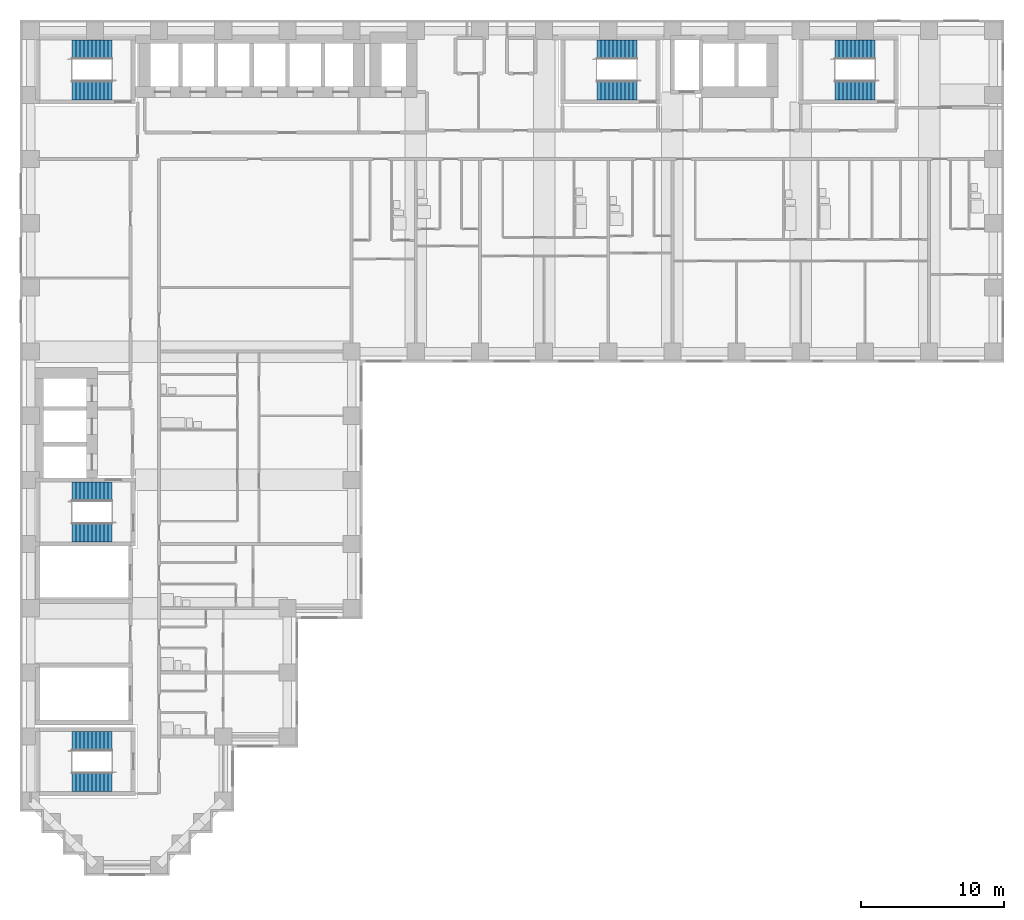
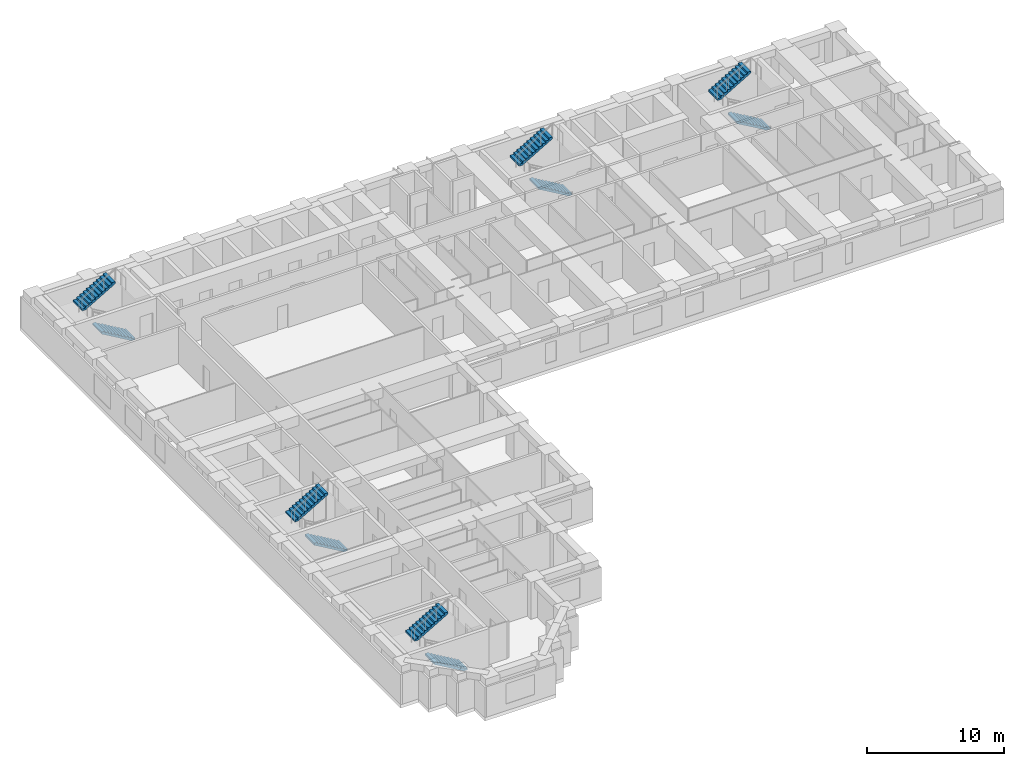
# One storey, part 10 of 12: 10 stair flights, 5 elements without a shape of their own.
"""IFC4 building model written with IfcOpenShell, lengths in metres."""

from ifc_helpers import new_model, si_unit, direction, frame, origin, place, context, subcontext, project, spatial, polyline, outline, extrude, material, type_object, element, aggregate, save


model = new_model("IFC4")

# Units and contexts
model_context = context("Model", 3, precision=1e-05, world=origin(), true_north=direction((0.0, 1.0)))
body_context = subcontext(model_context, "Body", "Model", "MODEL_VIEW")
ifc_project = project(units=[si_unit("LENGTHUNIT", "METRE"), si_unit("AREAUNIT", "SQUARE_METRE"), si_unit("VOLUMEUNIT", "CUBIC_METRE"), si_unit("PLANEANGLEUNIT", "RADIAN"), si_unit("MASSUNIT", "GRAM", prefix="KILO")], contexts=[model_context])

# Site, building, storey
site_placement = place(None, origin())
site = spatial("IfcSite", under=ifc_project, at=site_placement, CompositionType="ELEMENT")
building_placement = place(site_placement, origin())
building = spatial("IfcBuilding", under=site, at=building_placement, Name="Firuza Court", CompositionType="ELEMENT")
storey_placement = place(building_placement, frame((0.0, 0.0, 39.800048828125)))
storey = spatial("IfcBuildingStorey", under=building, at=storey_placement, Name="L08", CompositionType="ELEMENT", Elevation=39.800048828125)

# Stair, stair flights
ifc_material_1 = material(Name="Concrete C40/50 precast", Category="concrete")
stair_type = type_object("IfcStairType", Name="Stair 1350 x 3600 2 flights", PredefinedType="HALF_TURN_STAIR", material=ifc_material_1)
stair_1_placement = place(storey_placement, origin())
stair_1 = element("IfcStair", 1, at=stair_1_placement, inside=storey, type_object=stair_type, Name="Stair 1 L08", PredefinedType="HALF_TURN_STAIR")
ifc_material_2 = material(Name="Concrete C40/50 precast", Category="concrete")
stair_flight_type = type_object("IfcStairFlightType", Name="Flight 1350 riser 163.6", PredefinedType="STRAIGHT", material=ifc_material_2)
stair_flight_1_placement = place(storey_placement, frame((42.5, 54.324951171875, 0.0), z_axis=(0.0, 0.0, 1.0), x_axis=(-1.0, 0.0, 0.0)))
stair_flight_1 = element("IfcStairFlight", 2, at=stair_flight_1_placement, type_object=stair_flight_type, Name="S1 flight 1", NumberOfRisers=11, NumberOfTreads=10, PredefinedType="STRAIGHT", RiserHeight=0.163636364, TreadLength=0.28, context=body_context, shape_type="SweptSolid", body=[
    extrude(outline(polyline([(0.0, 0.0), (0.0, 0.16357421875), (0.280029296875, 0.16357421875), (0.280029296875, 0.327392578125), (0.56005859375, 0.327392578125), (0.56005859375, 0.490966796875), (0.840087890625, 0.490966796875), (0.840087890625, 0.654541015625), (1.1201171875, 0.654541015625), (1.1201171875, 0.818115234375), (1.39990234375, 0.818115234375), (1.39990234375, 0.98193359375), (1.679931640625, 0.98193359375), (1.679931640625, 1.1455078125), (1.9599609375, 1.1455078125), (1.9599609375, 1.30908203125), (2.239990234375, 1.30908203125), (2.239990234375, 1.47265625), (2.52001953125, 1.47265625), (2.52001953125, 1.636474609375), (2.800048828125, 1.636474609375), (2.800048828125, 1.800048828125), (2.800048828125, 1.462646484375), (0.297119140625, 0.0), (0.0, 0.0)])), frame((0.0, 0.675048828125, 0.0), z_axis=(0.0, -1.0, 0.0), x_axis=(1.0, 0.0, 0.0)), (0.0, 0.0, 1.0), 1.35009765625),
])
stair_flight_2_placement = place(storey_placement, frame((39.699951171875, 57.175048828125, 1.800048828125), z_axis=(0.0, 0.0, 1.0), x_axis=(1.0, 0.0, 0.0)))
stair_flight_2 = element("IfcStairFlight", 3, at=stair_flight_2_placement, type_object=stair_flight_type, Name="S1 flight 2", NumberOfRisers=11, NumberOfTreads=10, PredefinedType="STRAIGHT", RiserHeight=0.163636364, TreadLength=0.28, context=body_context, shape_type="SweptSolid", body=[
    extrude(outline(polyline([(0.0, 0.0), (0.0, 0.16357421875), (0.280029296875, 0.16357421875), (0.280029296875, 0.327392578125), (0.56005859375, 0.327392578125), (0.56005859375, 0.490966796875), (0.840087890625, 0.490966796875), (0.840087890625, 0.654541015625), (1.1201171875, 0.654541015625), (1.1201171875, 0.818115234375), (1.39990234375, 0.818115234375), (1.39990234375, 0.98193359375), (1.679931640625, 0.98193359375), (1.679931640625, 1.1455078125), (1.9599609375, 1.1455078125), (1.9599609375, 1.30908203125), (2.239990234375, 1.30908203125), (2.239990234375, 1.47265625), (2.52001953125, 1.47265625), (2.52001953125, 1.636474609375), (2.800048828125, 1.636474609375), (2.800048828125, 1.800048828125), (2.800048828125, 1.462646484375), (0.297119140625, 0.0), (0.0, 0.0)])), frame((0.0, 0.675048828125, 0.0), z_axis=(0.0, -1.0, 0.0), x_axis=(1.0, 0.0, 0.0)), (0.0, 0.0, 1.0), 1.35009765625),
])
aggregate(stair_1, [stair_flight_1, stair_flight_2])

stair_2_placement = place(storey_placement, origin())
stair_2 = element("IfcStair", 4, at=stair_2_placement, inside=storey, type_object=stair_type, Name="Stair 2 L08", PredefinedType="HALF_TURN_STAIR")
stair_flight_3_placement = place(storey_placement, frame((5.699951171875, 23.324951171875, 0.0), z_axis=(0.0, 0.0, 1.0), x_axis=(-1.0, 0.0, 0.0)))
stair_flight_3 = element("IfcStairFlight", 5, at=stair_flight_3_placement, type_object=stair_flight_type, Name="S2 flight 1", NumberOfRisers=11, NumberOfTreads=10, PredefinedType="STRAIGHT", RiserHeight=0.163636364, TreadLength=0.28, context=body_context, shape_type="SweptSolid", body=[
    extrude(outline(polyline([(0.0, 0.0), (0.0, 0.16357421875), (0.280029296875, 0.16357421875), (0.280029296875, 0.327392578125), (0.56005859375, 0.327392578125), (0.56005859375, 0.490966796875), (0.840087890625, 0.490966796875), (0.840087890625, 0.654541015625), (1.1201171875, 0.654541015625), (1.1201171875, 0.818115234375), (1.39990234375, 0.818115234375), (1.39990234375, 0.98193359375), (1.679931640625, 0.98193359375), (1.679931640625, 1.1455078125), (1.9599609375, 1.1455078125), (1.9599609375, 1.30908203125), (2.239990234375, 1.30908203125), (2.239990234375, 1.47265625), (2.52001953125, 1.47265625), (2.52001953125, 1.636474609375), (2.800048828125, 1.636474609375), (2.800048828125, 1.800048828125), (2.800048828125, 1.462646484375), (0.297119140625, 0.0), (0.0, 0.0)])), frame((0.0, 0.675048828125, 0.0), z_axis=(0.0, -1.0, 0.0), x_axis=(1.0, 0.0, 0.0)), (0.0, 0.0, 1.0), 1.35009765625),
])
stair_flight_4_placement = place(storey_placement, frame((2.89990234375, 26.175048828125, 1.800048828125), z_axis=(0.0, 0.0, 1.0), x_axis=(1.0, 0.0, 0.0)))
stair_flight_4 = element("IfcStairFlight", 6, at=stair_flight_4_placement, type_object=stair_flight_type, Name="S2 flight 2", NumberOfRisers=11, NumberOfTreads=10, PredefinedType="STRAIGHT", RiserHeight=0.163636364, TreadLength=0.28, context=body_context, shape_type="SweptSolid", body=[
    extrude(outline(polyline([(0.0, 0.0), (0.0, 0.16357421875), (0.280029296875, 0.16357421875), (0.280029296875, 0.327392578125), (0.56005859375, 0.327392578125), (0.56005859375, 0.490966796875), (0.840087890625, 0.490966796875), (0.840087890625, 0.654541015625), (1.1201171875, 0.654541015625), (1.1201171875, 0.818115234375), (1.39990234375, 0.818115234375), (1.39990234375, 0.98193359375), (1.679931640625, 0.98193359375), (1.679931640625, 1.1455078125), (1.9599609375, 1.1455078125), (1.9599609375, 1.30908203125), (2.239990234375, 1.30908203125), (2.239990234375, 1.47265625), (2.52001953125, 1.47265625), (2.52001953125, 1.636474609375), (2.800048828125, 1.636474609375), (2.800048828125, 1.800048828125), (2.800048828125, 1.462646484375), (0.297119140625, 0.0), (0.0, 0.0)])), frame((0.0, 0.675048828125, 0.0), z_axis=(0.0, -1.0, 0.0), x_axis=(1.0, 0.0, 0.0)), (0.0, 0.0, 1.0), 1.35009765625),
])
aggregate(stair_2, [stair_flight_3, stair_flight_4])

stair_3_placement = place(storey_placement, origin())
stair_3 = element("IfcStair", 7, at=stair_3_placement, inside=storey, type_object=stair_type, Name="Stair 3 L08", PredefinedType="HALF_TURN_STAIR")
stair_flight_5_placement = place(storey_placement, frame((5.699951171875, 54.324951171875, 0.0), z_axis=(0.0, 0.0, 1.0), x_axis=(-1.0, 0.0, 0.0)))
stair_flight_5 = element("IfcStairFlight", 8, at=stair_flight_5_placement, type_object=stair_flight_type, Name="S3 flight 1", NumberOfRisers=11, NumberOfTreads=10, PredefinedType="STRAIGHT", RiserHeight=0.163636364, TreadLength=0.28, context=body_context, shape_type="SweptSolid", body=[
    extrude(outline(polyline([(0.0, 0.0), (0.0, 0.16357421875), (0.280029296875, 0.16357421875), (0.280029296875, 0.327392578125), (0.56005859375, 0.327392578125), (0.56005859375, 0.490966796875), (0.840087890625, 0.490966796875), (0.840087890625, 0.654541015625), (1.1201171875, 0.654541015625), (1.1201171875, 0.818115234375), (1.39990234375, 0.818115234375), (1.39990234375, 0.98193359375), (1.679931640625, 0.98193359375), (1.679931640625, 1.1455078125), (1.9599609375, 1.1455078125), (1.9599609375, 1.30908203125), (2.239990234375, 1.30908203125), (2.239990234375, 1.47265625), (2.52001953125, 1.47265625), (2.52001953125, 1.636474609375), (2.800048828125, 1.636474609375), (2.800048828125, 1.800048828125), (2.800048828125, 1.462646484375), (0.297119140625, 0.0), (0.0, 0.0)])), frame((0.0, 0.675048828125, 0.0), z_axis=(0.0, -1.0, 0.0), x_axis=(1.0, 0.0, 0.0)), (0.0, 0.0, 1.0), 1.35009765625),
])
stair_flight_6_placement = place(storey_placement, frame((2.89990234375, 57.175048828125, 1.800048828125), z_axis=(0.0, 0.0, 1.0), x_axis=(1.0, 0.0, 0.0)))
stair_flight_6 = element("IfcStairFlight", 9, at=stair_flight_6_placement, type_object=stair_flight_type, Name="S3 flight 2", NumberOfRisers=11, NumberOfTreads=10, PredefinedType="STRAIGHT", RiserHeight=0.163636364, TreadLength=0.28, context=body_context, shape_type="SweptSolid", body=[
    extrude(outline(polyline([(0.0, 0.0), (0.0, 0.16357421875), (0.280029296875, 0.16357421875), (0.280029296875, 0.327392578125), (0.56005859375, 0.327392578125), (0.56005859375, 0.490966796875), (0.840087890625, 0.490966796875), (0.840087890625, 0.654541015625), (1.1201171875, 0.654541015625), (1.1201171875, 0.818115234375), (1.39990234375, 0.818115234375), (1.39990234375, 0.98193359375), (1.679931640625, 0.98193359375), (1.679931640625, 1.1455078125), (1.9599609375, 1.1455078125), (1.9599609375, 1.30908203125), (2.239990234375, 1.30908203125), (2.239990234375, 1.47265625), (2.52001953125, 1.47265625), (2.52001953125, 1.636474609375), (2.800048828125, 1.636474609375), (2.800048828125, 1.800048828125), (2.800048828125, 1.462646484375), (0.297119140625, 0.0), (0.0, 0.0)])), frame((0.0, 0.675048828125, 0.0), z_axis=(0.0, -1.0, 0.0), x_axis=(1.0, 0.0, 0.0)), (0.0, 0.0, 1.0), 1.35009765625),
])
aggregate(stair_3, [stair_flight_5, stair_flight_6])

stair_4_placement = place(storey_placement, origin())
stair_4 = element("IfcStair", 10, at=stair_4_placement, inside=storey, type_object=stair_type, Name="Stair 4 L08", PredefinedType="HALF_TURN_STAIR")
stair_flight_7_placement = place(storey_placement, frame((59.199951171875, 54.324951171875, 0.0), z_axis=(0.0, 0.0, 1.0), x_axis=(-1.0, 0.0, 0.0)))
stair_flight_7 = element("IfcStairFlight", 11, at=stair_flight_7_placement, type_object=stair_flight_type, Name="S4 flight 1", NumberOfRisers=11, NumberOfTreads=10, PredefinedType="STRAIGHT", RiserHeight=0.163636364, TreadLength=0.28, context=body_context, shape_type="SweptSolid", body=[
    extrude(outline(polyline([(0.0, 0.0), (0.0, 0.16357421875), (0.280029296875, 0.16357421875), (0.280029296875, 0.327392578125), (0.56005859375, 0.327392578125), (0.56005859375, 0.490966796875), (0.840087890625, 0.490966796875), (0.840087890625, 0.654541015625), (1.1201171875, 0.654541015625), (1.1201171875, 0.818115234375), (1.39990234375, 0.818115234375), (1.39990234375, 0.98193359375), (1.679931640625, 0.98193359375), (1.679931640625, 1.1455078125), (1.9599609375, 1.1455078125), (1.9599609375, 1.30908203125), (2.239990234375, 1.30908203125), (2.239990234375, 1.47265625), (2.52001953125, 1.47265625), (2.52001953125, 1.636474609375), (2.800048828125, 1.636474609375), (2.800048828125, 1.800048828125), (2.800048828125, 1.462646484375), (0.297119140625, 0.0), (0.0, 0.0)])), frame((0.0, 0.675048828125, 0.0), z_axis=(0.0, -1.0, 0.0), x_axis=(1.0, 0.0, 0.0)), (0.0, 0.0, 1.0), 1.35009765625),
])
stair_flight_8_placement = place(storey_placement, frame((56.39990234375, 57.175048828125, 1.800048828125), z_axis=(0.0, 0.0, 1.0), x_axis=(1.0, 0.0, 0.0)))
stair_flight_8 = element("IfcStairFlight", 12, at=stair_flight_8_placement, type_object=stair_flight_type, Name="S4 flight 2", NumberOfRisers=11, NumberOfTreads=10, PredefinedType="STRAIGHT", RiserHeight=0.163636364, TreadLength=0.28, context=body_context, shape_type="SweptSolid", body=[
    extrude(outline(polyline([(0.0, 0.0), (0.0, 0.16357421875), (0.280029296875, 0.16357421875), (0.280029296875, 0.327392578125), (0.56005859375, 0.327392578125), (0.56005859375, 0.490966796875), (0.840087890625, 0.490966796875), (0.840087890625, 0.654541015625), (1.1201171875, 0.654541015625), (1.1201171875, 0.818115234375), (1.39990234375, 0.818115234375), (1.39990234375, 0.98193359375), (1.679931640625, 0.98193359375), (1.679931640625, 1.1455078125), (1.9599609375, 1.1455078125), (1.9599609375, 1.30908203125), (2.239990234375, 1.30908203125), (2.239990234375, 1.47265625), (2.52001953125, 1.47265625), (2.52001953125, 1.636474609375), (2.800048828125, 1.636474609375), (2.800048828125, 1.800048828125), (2.800048828125, 1.462646484375), (0.297119140625, 0.0), (0.0, 0.0)])), frame((0.0, 0.675048828125, 0.0), z_axis=(0.0, -1.0, 0.0), x_axis=(1.0, 0.0, 0.0)), (0.0, 0.0, 1.0), 1.35009765625),
])
aggregate(stair_4, [stair_flight_7, stair_flight_8])

stair_5_placement = place(storey_placement, origin())
stair_5 = element("IfcStair", 13, at=stair_5_placement, inside=storey, type_object=stair_type, Name="Stair 5 L08", PredefinedType="HALF_TURN_STAIR")
stair_flight_9_placement = place(storey_placement, frame((5.699951171875, 5.824951171875, 0.0), z_axis=(0.0, 0.0, 1.0), x_axis=(-1.0, 0.0, 0.0)))
stair_flight_9 = element("IfcStairFlight", 14, at=stair_flight_9_placement, type_object=stair_flight_type, Name="S5 flight 1", NumberOfRisers=11, NumberOfTreads=10, PredefinedType="STRAIGHT", RiserHeight=0.163636364, TreadLength=0.28, context=body_context, shape_type="SweptSolid", body=[
    extrude(outline(polyline([(0.0, 0.0), (0.0, 0.16357421875), (0.280029296875, 0.16357421875), (0.280029296875, 0.327392578125), (0.56005859375, 0.327392578125), (0.56005859375, 0.490966796875), (0.840087890625, 0.490966796875), (0.840087890625, 0.654541015625), (1.1201171875, 0.654541015625), (1.1201171875, 0.818115234375), (1.39990234375, 0.818115234375), (1.39990234375, 0.98193359375), (1.679931640625, 0.98193359375), (1.679931640625, 1.1455078125), (1.9599609375, 1.1455078125), (1.9599609375, 1.30908203125), (2.239990234375, 1.30908203125), (2.239990234375, 1.47265625), (2.52001953125, 1.47265625), (2.52001953125, 1.636474609375), (2.800048828125, 1.636474609375), (2.800048828125, 1.800048828125), (2.800048828125, 1.462646484375), (0.297119140625, 0.0), (0.0, 0.0)])), frame((0.0, 0.675048828125, 0.0), z_axis=(0.0, -1.0, 0.0), x_axis=(1.0, 0.0, 0.0)), (0.0, 0.0, 1.0), 1.35009765625),
])
stair_flight_10_placement = place(storey_placement, frame((2.89990234375, 8.675048828125, 1.800048828125), z_axis=(0.0, 0.0, 1.0), x_axis=(1.0, 0.0, 0.0)))
stair_flight_10 = element("IfcStairFlight", 15, at=stair_flight_10_placement, type_object=stair_flight_type, Name="S5 flight 2", NumberOfRisers=11, NumberOfTreads=10, PredefinedType="STRAIGHT", RiserHeight=0.163636364, TreadLength=0.28, context=body_context, shape_type="SweptSolid", body=[
    extrude(outline(polyline([(0.0, 0.0), (0.0, 0.16357421875), (0.280029296875, 0.16357421875), (0.280029296875, 0.327392578125), (0.56005859375, 0.327392578125), (0.56005859375, 0.490966796875), (0.840087890625, 0.490966796875), (0.840087890625, 0.654541015625), (1.1201171875, 0.654541015625), (1.1201171875, 0.818115234375), (1.39990234375, 0.818115234375), (1.39990234375, 0.98193359375), (1.679931640625, 0.98193359375), (1.679931640625, 1.1455078125), (1.9599609375, 1.1455078125), (1.9599609375, 1.30908203125), (2.239990234375, 1.30908203125), (2.239990234375, 1.47265625), (2.52001953125, 1.47265625), (2.52001953125, 1.636474609375), (2.800048828125, 1.636474609375), (2.800048828125, 1.800048828125), (2.800048828125, 1.462646484375), (0.297119140625, 0.0), (0.0, 0.0)])), frame((0.0, 0.675048828125, 0.0), z_axis=(0.0, -1.0, 0.0), x_axis=(1.0, 0.0, 0.0)), (0.0, 0.0, 1.0), 1.35009765625),
])
aggregate(stair_5, [stair_flight_9, stair_flight_10])

save(model, "model.ifc")
